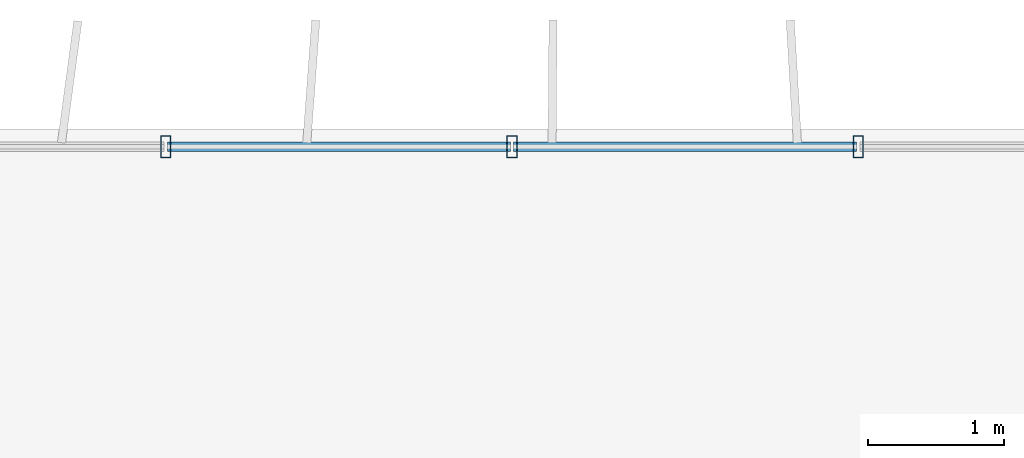
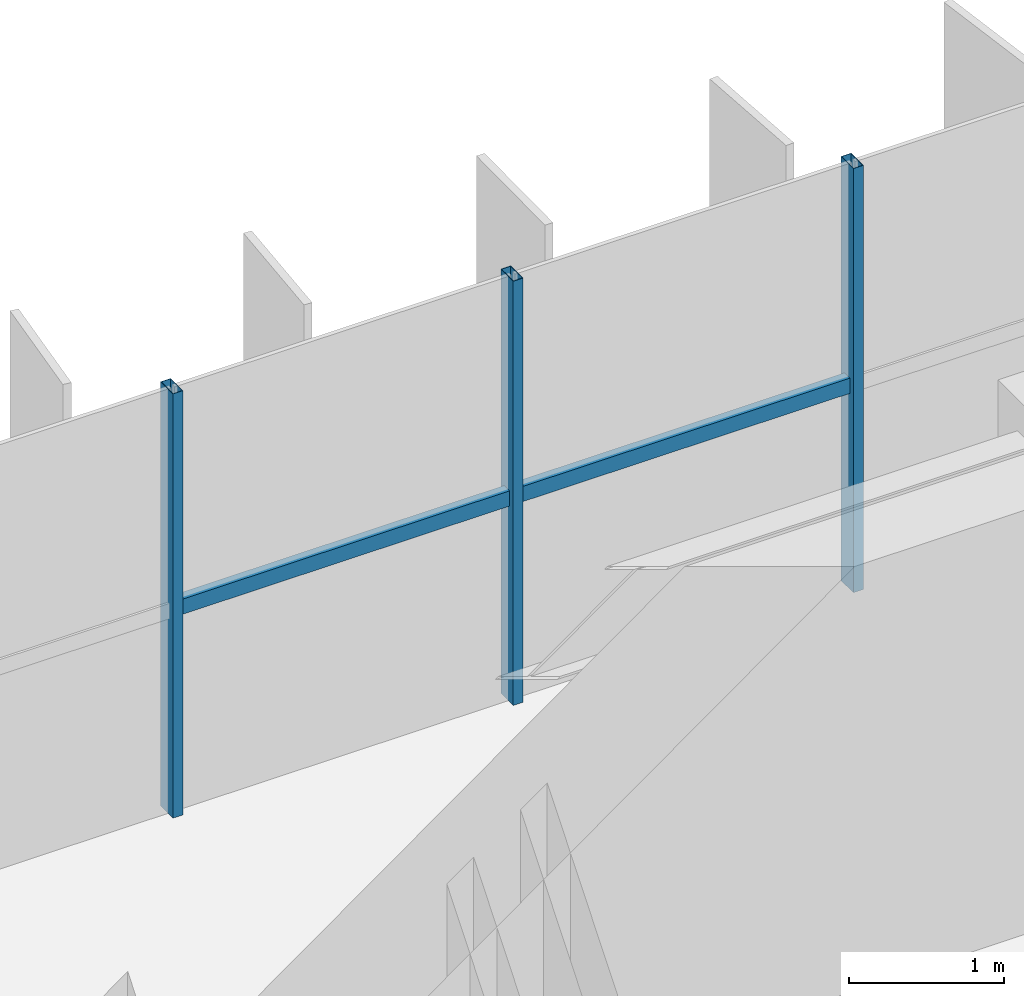
# One storey, part 6 of 20: 5 members, 1 element without a shape of its own.
"""IFC4 building model written with IfcOpenShell, lengths in metres."""

from ifc_helpers import new_model, si_unit, direction, frame, origin, origin_2d, place, context, subcontext, project, spatial, hollow_rectangle, extrude, source, transform, mapped, material, material_profile, profile_set, type_object, element, aggregate, save


model = new_model("IFC4")

# Units and contexts
model_context = context("Model", 3, precision=1e-05, world=origin(), true_north=direction((0.0, 1.0)))
body_context = subcontext(model_context, "Body", "Model", "MODEL_VIEW")
ifc_project = project(units=[si_unit("LENGTHUNIT", "METRE"), si_unit("AREAUNIT", "SQUARE_METRE"), si_unit("VOLUMEUNIT", "CUBIC_METRE"), si_unit("PLANEANGLEUNIT", "RADIAN"), si_unit("MASSUNIT", "GRAM", prefix="KILO")], contexts=[model_context])

# Site, building, storey
site_placement = place(None, origin())
site = spatial("IfcSite", under=ifc_project, at=site_placement, CompositionType="ELEMENT")
building_placement = place(site_placement, origin())
building = spatial("IfcBuilding", under=site, at=building_placement, Name="Trelvane Seafront Commons", CompositionType="ELEMENT")
storey_placement = place(building_placement, frame((0.0, 0.0, 150.10009765625)))
storey = spatial("IfcBuildingStorey", under=building, at=storey_placement, Name="L39", CompositionType="ELEMENT", Elevation=150.10009765625)

# Curtain wall, members
ifc_material = material(Name="Anodised pale-silver aluminium", Category="aluminium")
curtain_wall_type = type_object("IfcCurtainWallType", Name="ARCH-CW5-UPTOWER", PredefinedType="NOTDEFINED", material=ifc_material)
curtain_wall_placement = place(storey_placement, origin())
curtain_wall = element("IfcCurtainWall", 1, at=curtain_wall_placement, inside=storey, type_object=curtain_wall_type, Name="CW-L39-0066", PredefinedType="NOTDEFINED")
ifc_material_profile_1 = material_profile(ifc_material, hollow_rectangle(XDim=0.070068359375, YDim=0.1201171875, WallThickness=0.00390625, at=origin_2d()), Name="TRAN-70x120x4")
ifc_profile_set_1 = profile_set([ifc_material_profile_1], Name="Anodised pale-silver aluminium")
member_type_1 = type_object("IfcMemberType", Name="ARCH-CW-TRAN-120", PredefinedType="USERDEFINED", material=ifc_profile_set_1)
shared_shape_1 = source(origin(), body_context, "Body", "SweptSolid", [
    extrude(hollow_rectangle(XDim=0.070068359375, YDim=0.1201171875, WallThickness=0.00390625, at=origin_2d()), origin(), (0.0, 0.0, 1.0), 2.517333984375),
])
member_1_placement = place(storey_placement, frame((25.776611328125, 48.3701171875, 1.60791015625), z_axis=(1.0, 0.0, 0.0), x_axis=(0.0, 1.0, 0.0)))
member_1 = element("IfcMember", 2, at=member_1_placement, type_object=member_type_1, Name="CW-L39-0066-T04", ObjectType="TRANSOM", PredefinedType="USERDEFINED", context=body_context, shape_type="MappedRepresentation", body=[
    mapped(shared_shape_1, transform((0.0, 0.0, 0.0), x_axis=(1.0, 0.0, 0.0), y_axis=(0.0, 1.0, 0.0), z_axis=(0.0, 0.0, 1.0), scale=1.0)),
])
member_2_placement = place(storey_placement, frame((28.31787109375, 48.3701171875, 1.60791015625), z_axis=(1.0, 0.0, 0.0), x_axis=(0.0, 1.0, 0.0)))
member_2 = element("IfcMember", 3, at=member_2_placement, type_object=member_type_1, Name="CW-L39-0066-T05", ObjectType="TRANSOM", PredefinedType="USERDEFINED", context=body_context, shape_type="MappedRepresentation", body=[
    mapped(shared_shape_1, transform((0.0, 0.0, 0.0), x_axis=(1.0, 0.0, 0.0), y_axis=(0.0, 1.0, 0.0), z_axis=(0.0, 0.0, 1.0), scale=1.0)),
])
ifc_material_profile_2 = material_profile(ifc_material, hollow_rectangle(XDim=0.074951171875, YDim=0.159912109375, WallThickness=0.00390625, at=origin_2d()), Name="MULL-75x160x4")
ifc_profile_set_2 = profile_set([ifc_material_profile_2], Name="Anodised pale-silver aluminium")
member_type_2 = type_object("IfcMemberType", Name="ARCH-CW-MULL-160", PredefinedType="MULLION", material=ifc_profile_set_2)
shared_shape_2 = source(origin(), body_context, "Body", "SweptSolid", [
    extrude(hollow_rectangle(XDim=0.074951171875, YDim=0.159912109375, WallThickness=0.00390625, at=origin_2d()), origin(), (0.0, 0.0, 1.0), 3.349853515625),
])
member_3_placement = place(storey_placement, frame((25.7646484375, 48.3701171875, 0.0), z_axis=(0.0, 0.0, 1.0), x_axis=(1.0, 0.0, 0.0)))
member_3 = element("IfcMember", 4, at=member_3_placement, type_object=member_type_2, Name="CW-L39-0066-M04", PredefinedType="MULLION", context=body_context, shape_type="MappedRepresentation", body=[
    mapped(shared_shape_2, transform((0.0, 0.0, 0.0), x_axis=(1.0, 0.0, 0.0), y_axis=(0.0, 1.0, 0.0), z_axis=(0.0, 0.0, 1.0), scale=1.0)),
])
member_4_placement = place(storey_placement, frame((28.305908203125, 48.3701171875, 0.0), z_axis=(0.0, 0.0, 1.0), x_axis=(1.0, 0.0, 0.0)))
member_4 = element("IfcMember", 5, at=member_4_placement, type_object=member_type_2, Name="CW-L39-0066-M05", PredefinedType="MULLION", context=body_context, shape_type="MappedRepresentation", body=[
    mapped(shared_shape_2, transform((0.0, 0.0, 0.0), x_axis=(1.0, 0.0, 0.0), y_axis=(0.0, 1.0, 0.0), z_axis=(0.0, 0.0, 1.0), scale=1.0)),
])
member_5_placement = place(storey_placement, frame((30.84716796875, 48.3701171875, 0.0), z_axis=(0.0, 0.0, 1.0), x_axis=(1.0, 0.0, 0.0)))
member_5 = element("IfcMember", 6, at=member_5_placement, type_object=member_type_2, Name="CW-L39-0066-M06", PredefinedType="MULLION", context=body_context, shape_type="MappedRepresentation", body=[
    mapped(shared_shape_2, transform((0.0, 0.0, 0.0), x_axis=(1.0, 0.0, 0.0), y_axis=(0.0, 1.0, 0.0), z_axis=(0.0, 0.0, 1.0), scale=1.0)),
])
aggregate(curtain_wall, [member_3, member_4, member_5, member_1, member_2])

save(model, "model.ifc")
